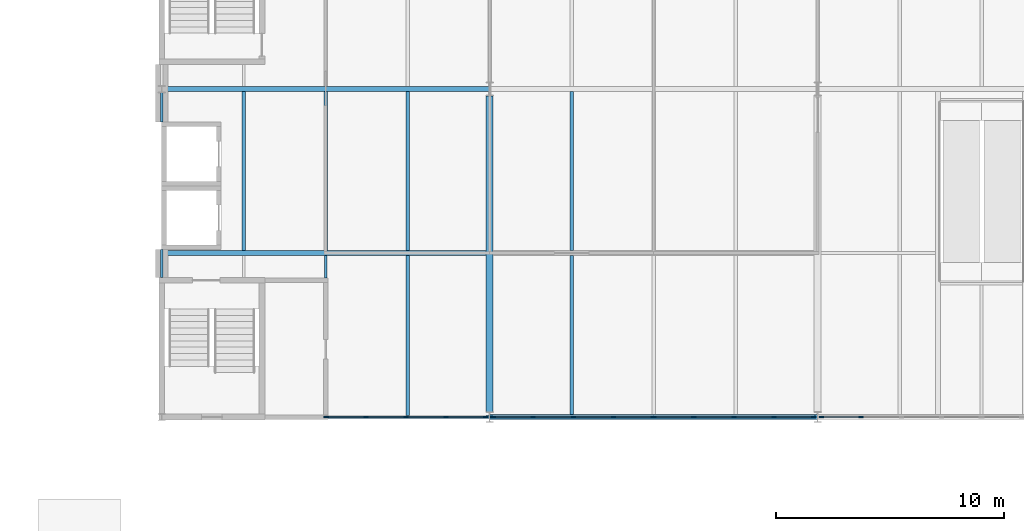
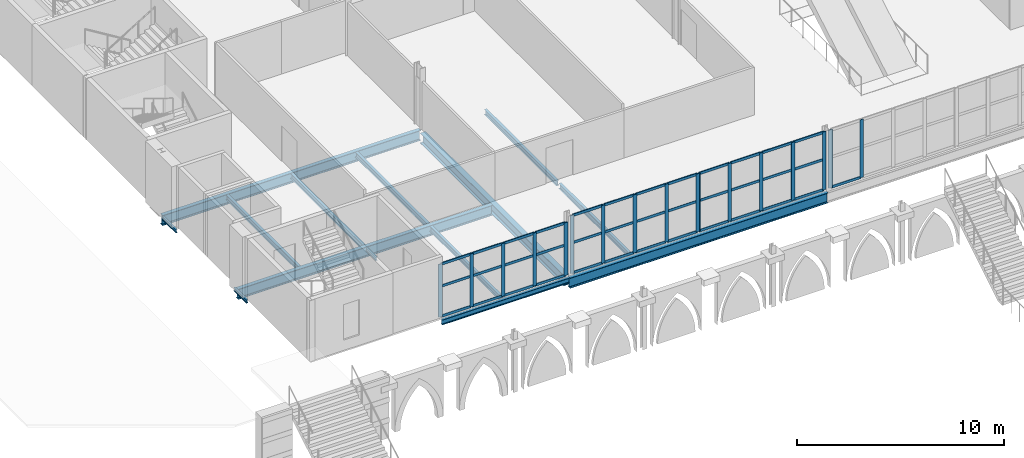
# One storey, part 27 of 90: 54 members, 14 beams, 4 elements without a shape of their own.
"""IFC4 building model written with IfcOpenShell, lengths in metres."""

from ifc_helpers import new_model, si_unit, direction, frame, origin, origin_2d, place, context, subcontext, project, spatial, rectangle, i_section, extrude, material, material_profile, profile_set, type_object, element, aggregate, save


model = new_model("IFC4")

# Units and contexts
model_context = context("Model", 3, precision=1e-05, world=origin(), true_north=direction((0.0, 1.0)))
body_context = subcontext(model_context, "Body", "Model", "MODEL_VIEW")
ifc_project = project(units=[si_unit("LENGTHUNIT", "METRE"), si_unit("AREAUNIT", "SQUARE_METRE"), si_unit("VOLUMEUNIT", "CUBIC_METRE"), si_unit("PLANEANGLEUNIT", "RADIAN"), si_unit("MASSUNIT", "GRAM", prefix="KILO")], contexts=[model_context])

# Site, building, storey
site_placement = place(None, origin())
site = spatial("IfcSite", under=ifc_project, at=site_placement, CompositionType="ELEMENT")
building_placement = place(site_placement, origin())
building = spatial("IfcBuilding", under=site, at=building_placement, Name="Kupolbacken Congress Centre", CompositionType="ELEMENT")
storey_placement = place(building_placement, frame((0.0, 0.0, 3.60009765625)))
storey = spatial("IfcBuildingStorey", under=building, at=storey_placement, Name="L01", CompositionType="ELEMENT", Elevation=3.60009765625)

# Beams
ifc_material_1 = material(Name="Steel S355", Category="steel")
ifc_material_profile_1 = material_profile(ifc_material_1, i_section(OverallWidth=0.10009765625, OverallDepth=0.199951171875, WebThickness=0.005615234375, FlangeThickness=0.008544921875, FilletRadius=0.011962890625, at=origin_2d()), Name="IPE 200")
ifc_profile_set_1 = profile_set([ifc_material_profile_1], Name="Steel S355")
beam_type_1 = type_object("IfcBeamType", Name="B01 beam IPE 200", PredefinedType="BEAM", material=ifc_profile_set_1)
beam_1_placement = place(storey_placement, frame((7.199951171875, 34.925048828125, -0.280029296875), z_axis=(0.0, 1.0, 0.0), x_axis=(-1.0, 0.0, 0.0)))
element("IfcBeam", 1, at=beam_1_placement, inside=storey, type_object=beam_type_1, Name="S/floor/F/L01/G001", PredefinedType="BEAM", context=body_context, shape_type="SweptSolid", body=[
    extrude(i_section(OverallWidth=0.10009765625, OverallDepth=0.199951171875, WebThickness=0.005615234375, FlangeThickness=0.008544921875, FilletRadius=0.011962890625, at=origin_2d()), origin(), (0.0, 0.0, 1.0), 1.224853515625),
])
beam_2_placement = place(storey_placement, frame((7.199951171875, 41.75, -0.280029296875), z_axis=(0.0, 1.0, 0.0), x_axis=(-1.0, 0.0, 0.0)))
element("IfcBeam", 2, at=beam_2_placement, inside=storey, type_object=beam_type_1, Name="S/floor/F/L01/G002", PredefinedType="BEAM", context=body_context, shape_type="SweptSolid", body=[
    extrude(i_section(OverallWidth=0.10009765625, OverallDepth=0.199951171875, WebThickness=0.005615234375, FlangeThickness=0.008544921875, FilletRadius=0.011962890625, at=origin_2d()), origin(), (0.0, 0.0, 1.0), 1.300048828125),
])
beam_3_placement = place(storey_placement, frame((14.39990234375, 34.89990234375, -0.280029296875), z_axis=(0.0, 1.0, 0.0), x_axis=(-1.0, 0.0, 0.0)))
element("IfcBeam", 3, at=beam_3_placement, inside=storey, type_object=beam_type_1, Name="S/floor/F/L01/S043", PredefinedType="BEAM", context=body_context, shape_type="SweptSolid", body=[
    extrude(i_section(OverallWidth=0.10009765625, OverallDepth=0.199951171875, WebThickness=0.005615234375, FlangeThickness=0.008544921875, FilletRadius=0.011962890625, at=origin_2d()), origin(), (0.0, 0.0, 1.0), 0.989990234375),
])
ifc_material_2 = material(Name="Steel S355", Category="steel")
ifc_material_profile_2 = material_profile(ifc_material_2, i_section(OverallWidth=0.14990234375, OverallDepth=0.300048828125, WebThickness=0.007080078125, FlangeThickness=0.0107421875, FilletRadius=0.014892578125, at=origin_2d()), Name="IPE 300")
ifc_profile_set_2 = profile_set([ifc_material_profile_2], Name="Steel S355")
beam_type_2 = type_object("IfcBeamType", Name="B04 beam IPE 300", PredefinedType="BEAM", material=ifc_profile_set_2)
beam_4_placement = place(storey_placement, frame((14.5, 28.800048828125, -0.330078125), z_axis=(1.0, 0.0, 0.0), x_axis=(0.0, 1.0, 0.0)))
element("IfcBeam", 4, at=beam_4_placement, inside=storey, type_object=beam_type_2, Name="S/floor/F/L01/R015", PredefinedType="BEAM", context=body_context, shape_type="SweptSolid", body=[
    extrude(i_section(OverallWidth=0.14990234375, OverallDepth=0.300048828125, WebThickness=0.007080078125, FlangeThickness=0.0107421875, FilletRadius=0.014892578125, at=origin_2d()), origin(), (0.0, 0.0, 1.0), 7.093017578125),
])
for number, where, z_axis, x_axis, name in (
    (5, (10.800048828125, 36.110107421875, -0.330078125), (0.0, 1.0, 0.0), (-1.0, 0.0, 0.0), "S/floor/F/L01/S041"),
    (6, (14.39990234375, 36.110107421875, -0.330078125), (0.0, 1.0, 0.0), (-1.0, 0.0, 0.0), "S/floor/F/L01/S044"),
):
    element("IfcBeam", number, at=place(storey_placement, frame(where, z_axis=z_axis, x_axis=x_axis)), inside=storey, type_object=beam_type_2, Name=name, PredefinedType="BEAM", context=body_context, shape_type="SweptSolid", body=[
        extrude(i_section(OverallWidth=0.14990234375, OverallDepth=0.300048828125, WebThickness=0.007080078125, FlangeThickness=0.0107421875, FilletRadius=0.014892578125, at=origin_2d()), origin(), (0.0, 0.0, 1.0), 6.97998046875),
    ])
beam_5_placement = place(storey_placement, frame((18.0, 28.875, -0.330078125), z_axis=(0.0, 1.0, 0.0), x_axis=(-1.0, 0.0, 0.0)))
element("IfcBeam", 7, at=beam_5_placement, inside=storey, type_object=beam_type_2, Name="S/floor/F/L01/S046", PredefinedType="BEAM", context=body_context, shape_type="SweptSolid", body=[
    extrude(i_section(OverallWidth=0.14990234375, OverallDepth=0.300048828125, WebThickness=0.007080078125, FlangeThickness=0.0107421875, FilletRadius=0.014892578125, at=origin_2d()), origin(), (0.0, 0.0, 1.0), 7.014892578125),
])
for number, where, z_axis, x_axis, name in (
    (8, (18.0, 36.110107421875, -0.330078125), (0.0, 1.0, 0.0), (-1.0, 0.0, 0.0), "S/floor/F/L01/S047"),
    (9, (25.199951171875, 28.909912109375, -0.330078125), (0.0, 1.0, 0.0), (-1.0, 0.0, 0.0), "S/floor/F/L01/S049"),
    (10, (25.199951171875, 36.110107421875, -0.330078125), (0.0, 1.0, 0.0), (-1.0, 0.0, 0.0), "S/floor/F/L01/S050"),
):
    element("IfcBeam", number, at=place(storey_placement, frame(where, z_axis=z_axis, x_axis=x_axis)), inside=storey, type_object=beam_type_2, Name=name, PredefinedType="BEAM", context=body_context, shape_type="SweptSolid", body=[
        extrude(i_section(OverallWidth=0.14990234375, OverallDepth=0.300048828125, WebThickness=0.007080078125, FlangeThickness=0.0107421875, FilletRadius=0.014892578125, at=origin_2d()), origin(), (0.0, 0.0, 1.0), 6.97998046875),
    ])
ifc_material_3 = material(Name="Steel S355", Category="steel")
ifc_material_profile_3 = material_profile(ifc_material_3, i_section(OverallWidth=0.219970703125, OverallDepth=0.60009765625, WebThickness=0.011962890625, FlangeThickness=0.01904296875, FilletRadius=0.02392578125, at=origin_2d()), Name="IPE 600")
ifc_profile_set_3 = profile_set([ifc_material_profile_3], Name="Steel S355")
beam_type_3 = type_object("IfcBeamType", Name="B11 beam IPE 600", PredefinedType="BEAM", material=ifc_profile_set_3)
beam_6_placement = place(storey_placement, frame((21.60693359375, 28.800048828125, -0.47998046875), z_axis=(1.0, 0.0, 0.0), x_axis=(0.0, 1.0, 0.0)))
element("IfcBeam", 11, at=beam_6_placement, inside=storey, type_object=beam_type_3, Name="S/floor/F/L01/R016", PredefinedType="BEAM", context=body_context, shape_type="SweptSolid", body=[
    extrude(i_section(OverallWidth=0.219970703125, OverallDepth=0.60009765625, WebThickness=0.011962890625, FlangeThickness=0.01904296875, FilletRadius=0.02392578125, at=origin_2d()), origin(), (0.0, 0.0, 1.0), 14.385986328125),
])
beam_7_placement = place(storey_placement, frame((7.20556640625, 43.199951171875, -0.47998046875), z_axis=(1.0, 0.0, 0.0), x_axis=(0.0, 1.0, 0.0)))
element("IfcBeam", 12, at=beam_7_placement, inside=storey, type_object=beam_type_3, Name="S/floor/F/L01/R020", PredefinedType="BEAM", context=body_context, shape_type="SweptSolid", body=[
    extrude(i_section(OverallWidth=0.219970703125, OverallDepth=0.60009765625, WebThickness=0.011962890625, FlangeThickness=0.01904296875, FilletRadius=0.02392578125, at=origin_2d()), origin(), (0.0, 0.0, 1.0), 14.38671875),
])
beam_8_placement = place(storey_placement, frame((7.25, 36.0, -0.47998046875), z_axis=(1.0, 0.0, 0.0), x_axis=(0.0, 1.0, 0.0)))
element("IfcBeam", 13, at=beam_8_placement, inside=storey, type_object=beam_type_3, Name="S/floor/F/L01/R034", PredefinedType="BEAM", context=body_context, shape_type="SweptSolid", body=[
    extrude(i_section(OverallWidth=0.219970703125, OverallDepth=0.60009765625, WebThickness=0.011962890625, FlangeThickness=0.01904296875, FilletRadius=0.02392578125, at=origin_2d()), origin(), (0.0, 0.0, 1.0), 14.199951171875),
])
ifc_material_4 = material(Name="Steel S355", Category="steel")
ifc_material_profile_4 = material_profile(ifc_material_4, i_section(OverallWidth=0.300048828125, OverallDepth=0.60009765625, WebThickness=0.015380859375, FlangeThickness=0.030029296875, FilletRadius=0.027099609375, at=origin_2d()), Name="HEB 600")
ifc_profile_set_4 = profile_set([ifc_material_profile_4], Name="Steel S355")
beam_type_4 = type_object("IfcBeamType", Name="B15 beam HEB 600", PredefinedType="BEAM", material=ifc_profile_set_4)
beam_9_placement = place(storey_placement, frame((21.60009765625, 29.02490234375, -0.47998046875), z_axis=(0.0, 1.0, 0.0), x_axis=(-1.0, 0.0, 0.0)))
element("IfcBeam", 14, at=beam_9_placement, inside=storey, type_object=beam_type_4, Name="S/floor/F/L01/G004", PredefinedType="BEAM", context=body_context, shape_type="SweptSolid", body=[
    extrude(i_section(OverallWidth=0.300048828125, OverallDepth=0.60009765625, WebThickness=0.015380859375, FlangeThickness=0.030029296875, FilletRadius=0.027099609375, at=origin_2d()), origin(), (0.0, 0.0, 1.0), 13.875),
])

# Curtain wall, members
ifc_material_5 = material(Name="Aluminium mullion-transom frame with glass", Category="aluminium")
curtain_wall_type = type_object("IfcCurtainWallType", Name="CW1 curtain wall 7200x3600", PredefinedType="NOTDEFINED", material=ifc_material_5)
curtain_wall_1_placement = place(storey_placement, origin())
curtain_wall_1 = element("IfcCurtainWall", 15, at=curtain_wall_1_placement, inside=storey, type_object=curtain_wall_type, Name="E/F/S/L01/137", PredefinedType="NOTDEFINED")
ifc_material_6 = material(Name="Aluminium alloy", Category="aluminium")
ifc_material_profile_5 = material_profile(ifc_material_6, rectangle(XDim=0.050048828125, YDim=0.199951171875, at=origin_2d()), Name="50 x 200")
ifc_profile_set_5 = profile_set([ifc_material_profile_5], Name="Aluminium alloy")
member_type_1 = type_object("IfcMemberType", Name="MU2 mullion 50x200", PredefinedType="MULLION", material=ifc_profile_set_5)
member_1_placement = place(storey_placement, frame((14.425048828125, 28.800048828125, 0.0), z_axis=(0.0, 0.0, 1.0), x_axis=(0.0, 1.0, 0.0)))
member_1 = element("IfcMember", 16, at=member_1_placement, type_object=member_type_1, Name="CW1 mullion 1", PredefinedType="MULLION", context=body_context, shape_type="SweptSolid", body=[
    extrude(rectangle(XDim=0.050048828125, YDim=0.199951171875, at=origin_2d()), origin(), (0.0, 0.0, 1.0), 3.119873046875),
])
member_2_placement = place(storey_placement, frame((16.16259765625, 28.800048828125, 0.0), z_axis=(0.0, 0.0, 1.0), x_axis=(0.0, 1.0, 0.0)))
member_2 = element("IfcMember", 17, at=member_2_placement, type_object=member_type_1, Name="CW1 mullion 2", PredefinedType="MULLION", context=body_context, shape_type="SweptSolid", body=[
    extrude(rectangle(XDim=0.050048828125, YDim=0.199951171875, at=origin_2d()), origin(), (0.0, 0.0, 1.0), 3.119873046875),
])
member_3_placement = place(storey_placement, frame((17.925048828125, 28.800048828125, 0.0), z_axis=(0.0, 0.0, 1.0), x_axis=(0.0, 1.0, 0.0)))
member_3 = element("IfcMember", 18, at=member_3_placement, type_object=member_type_1, Name="CW1 mullion 3", PredefinedType="MULLION", context=body_context, shape_type="SweptSolid", body=[
    extrude(rectangle(XDim=0.050048828125, YDim=0.199951171875, at=origin_2d()), origin(), (0.0, 0.0, 1.0), 3.119873046875),
])
member_4_placement = place(storey_placement, frame((19.6875, 28.800048828125, 0.0), z_axis=(0.0, 0.0, 1.0), x_axis=(0.0, 1.0, 0.0)))
member_4 = element("IfcMember", 19, at=member_4_placement, type_object=member_type_1, Name="CW1 mullion 4", PredefinedType="MULLION", context=body_context, shape_type="SweptSolid", body=[
    extrude(rectangle(XDim=0.050048828125, YDim=0.199951171875, at=origin_2d()), origin(), (0.0, 0.0, 1.0), 3.119873046875),
])
member_5_placement = place(storey_placement, frame((21.425048828125, 28.800048828125, 0.0), z_axis=(0.0, 0.0, 1.0), x_axis=(0.0, 1.0, 0.0)))
member_5 = element("IfcMember", 20, at=member_5_placement, type_object=member_type_1, Name="CW1 mullion 5", PredefinedType="MULLION", context=body_context, shape_type="SweptSolid", body=[
    extrude(rectangle(XDim=0.050048828125, YDim=0.199951171875, at=origin_2d()), origin(), (0.0, 0.0, 1.0), 3.119873046875),
])

curtain_wall_2_placement = place(storey_placement, origin())
curtain_wall_2 = element("IfcCurtainWall", 21, at=curtain_wall_2_placement, inside=storey, type_object=curtain_wall_type, Name="E/F/S/L01/138", PredefinedType="NOTDEFINED")
member_6_placement = place(storey_placement, frame((21.77490234375, 28.800048828125, 0.0), z_axis=(0.0, 0.0, 1.0), x_axis=(0.0, 1.0, 0.0)))
member_6 = element("IfcMember", 22, at=member_6_placement, type_object=member_type_1, Name="CW1 mullion 1", PredefinedType="MULLION", context=body_context, shape_type="SweptSolid", body=[
    extrude(rectangle(XDim=0.050048828125, YDim=0.199951171875, at=origin_2d()), origin(), (0.0, 0.0, 1.0), 3.419921875),
])
member_7_placement = place(storey_placement, frame((23.512451171875, 28.800048828125, 0.0), z_axis=(0.0, 0.0, 1.0), x_axis=(0.0, 1.0, 0.0)))
member_7 = element("IfcMember", 23, at=member_7_placement, type_object=member_type_1, Name="CW1 mullion 2", PredefinedType="MULLION", context=body_context, shape_type="SweptSolid", body=[
    extrude(rectangle(XDim=0.050048828125, YDim=0.199951171875, at=origin_2d()), origin(), (0.0, 0.0, 1.0), 3.419921875),
])
member_8_placement = place(storey_placement, frame((25.27490234375, 28.800048828125, 0.0), z_axis=(0.0, 0.0, 1.0), x_axis=(0.0, 1.0, 0.0)))
member_8 = element("IfcMember", 24, at=member_8_placement, type_object=member_type_1, Name="CW1 mullion 3", PredefinedType="MULLION", context=body_context, shape_type="SweptSolid", body=[
    extrude(rectangle(XDim=0.050048828125, YDim=0.199951171875, at=origin_2d()), origin(), (0.0, 0.0, 1.0), 3.419921875),
])
member_9_placement = place(storey_placement, frame((27.03759765625, 28.800048828125, 0.0), z_axis=(0.0, 0.0, 1.0), x_axis=(0.0, 1.0, 0.0)))
member_9 = element("IfcMember", 25, at=member_9_placement, type_object=member_type_1, Name="CW1 mullion 4", PredefinedType="MULLION", context=body_context, shape_type="SweptSolid", body=[
    extrude(rectangle(XDim=0.050048828125, YDim=0.199951171875, at=origin_2d()), origin(), (0.0, 0.0, 1.0), 3.419921875),
])
member_10_placement = place(storey_placement, frame((28.77490234375, 28.800048828125, 0.0), z_axis=(0.0, 0.0, 1.0), x_axis=(0.0, 1.0, 0.0)))
member_10 = element("IfcMember", 26, at=member_10_placement, type_object=member_type_1, Name="CW1 mullion 5", PredefinedType="MULLION", context=body_context, shape_type="SweptSolid", body=[
    extrude(rectangle(XDim=0.050048828125, YDim=0.199951171875, at=origin_2d()), origin(), (0.0, 0.0, 1.0), 3.419921875),
])

curtain_wall_3_placement = place(storey_placement, origin())
curtain_wall_3 = element("IfcCurtainWall", 27, at=curtain_wall_3_placement, inside=storey, type_object=curtain_wall_type, Name="E/F/S/L01/139", PredefinedType="NOTDEFINED")
member_11_placement = place(storey_placement, frame((28.824951171875, 28.800048828125, 0.0), z_axis=(0.0, 0.0, 1.0), x_axis=(0.0, 1.0, 0.0)))
member_11 = element("IfcMember", 28, at=member_11_placement, type_object=member_type_1, Name="CW1 mullion 1", PredefinedType="MULLION", context=body_context, shape_type="SweptSolid", body=[
    extrude(rectangle(XDim=0.050048828125, YDim=0.199951171875, at=origin_2d()), origin(), (0.0, 0.0, 1.0), 3.419921875),
])
member_12_placement = place(storey_placement, frame((30.5625, 28.800048828125, 0.0), z_axis=(0.0, 0.0, 1.0), x_axis=(0.0, 1.0, 0.0)))
member_12 = element("IfcMember", 29, at=member_12_placement, type_object=member_type_1, Name="CW1 mullion 2", PredefinedType="MULLION", context=body_context, shape_type="SweptSolid", body=[
    extrude(rectangle(XDim=0.050048828125, YDim=0.199951171875, at=origin_2d()), origin(), (0.0, 0.0, 1.0), 3.419921875),
])
member_13_placement = place(storey_placement, frame((32.324951171875, 28.800048828125, 0.0), z_axis=(0.0, 0.0, 1.0), x_axis=(0.0, 1.0, 0.0)))
member_13 = element("IfcMember", 30, at=member_13_placement, type_object=member_type_1, Name="CW1 mullion 3", PredefinedType="MULLION", context=body_context, shape_type="SweptSolid", body=[
    extrude(rectangle(XDim=0.050048828125, YDim=0.199951171875, at=origin_2d()), origin(), (0.0, 0.0, 1.0), 3.419921875),
])
member_14_placement = place(storey_placement, frame((34.08740234375, 28.800048828125, 0.0), z_axis=(0.0, 0.0, 1.0), x_axis=(0.0, 1.0, 0.0)))
member_14 = element("IfcMember", 31, at=member_14_placement, type_object=member_type_1, Name="CW1 mullion 4", PredefinedType="MULLION", context=body_context, shape_type="SweptSolid", body=[
    extrude(rectangle(XDim=0.050048828125, YDim=0.199951171875, at=origin_2d()), origin(), (0.0, 0.0, 1.0), 3.419921875),
])
member_15_placement = place(storey_placement, frame((35.824951171875, 28.800048828125, 0.0), z_axis=(0.0, 0.0, 1.0), x_axis=(0.0, 1.0, 0.0)))
member_15 = element("IfcMember", 32, at=member_15_placement, type_object=member_type_1, Name="CW1 mullion 5", PredefinedType="MULLION", context=body_context, shape_type="SweptSolid", body=[
    extrude(rectangle(XDim=0.050048828125, YDim=0.199951171875, at=origin_2d()), origin(), (0.0, 0.0, 1.0), 3.419921875),
])

curtain_wall_4_placement = place(storey_placement, origin())
curtain_wall_4 = element("IfcCurtainWall", 33, at=curtain_wall_4_placement, inside=storey, type_object=curtain_wall_type, Name="E/F/S/L01/140", PredefinedType="NOTDEFINED")
member_16_placement = place(storey_placement, frame((36.175048828125, 28.800048828125, 0.0), z_axis=(0.0, 0.0, 1.0), x_axis=(0.0, 1.0, 0.0)))
member_16 = element("IfcMember", 34, at=member_16_placement, type_object=member_type_1, Name="CW1 mullion 1", PredefinedType="MULLION", context=body_context, shape_type="SweptSolid", body=[
    extrude(rectangle(XDim=0.050048828125, YDim=0.199951171875, at=origin_2d()), origin(), (0.0, 0.0, 1.0), 3.419921875),
])
member_17_placement = place(storey_placement, frame((37.91259765625, 28.800048828125, 0.0), z_axis=(0.0, 0.0, 1.0), x_axis=(0.0, 1.0, 0.0)))
member_17 = element("IfcMember", 35, at=member_17_placement, type_object=member_type_1, Name="CW1 mullion 2", PredefinedType="MULLION", context=body_context, shape_type="SweptSolid", body=[
    extrude(rectangle(XDim=0.050048828125, YDim=0.199951171875, at=origin_2d()), origin(), (0.0, 0.0, 1.0), 3.419921875),
])

# Member
ifc_material_7 = material(Name="Aluminium alloy", Category="aluminium")
ifc_material_profile_6 = material_profile(ifc_material_7, rectangle(XDim=0.050048828125, YDim=0.14990234375, at=origin_2d()), Name="50 x 150")
ifc_profile_set_6 = profile_set([ifc_material_profile_6], Name="Aluminium alloy")
member_type_2 = type_object("IfcMemberType", Name="TR2 transom 50x150", PredefinedType="MULLION", material=ifc_profile_set_6)
member_18_placement = place(storey_placement, frame((14.449951171875, 28.800048828125, 0.02490234375), z_axis=(1.0, 0.0, 0.0), x_axis=(0.0, 1.0, 0.0)))
member_18 = element("IfcMember", 36, at=member_18_placement, type_object=member_type_2, Name="CW1 transom 1.1", PredefinedType="MULLION", context=body_context, shape_type="SweptSolid", body=[
    extrude(rectangle(XDim=0.050048828125, YDim=0.14990234375, at=origin_2d()), origin(), (0.0, 0.0, 1.0), 1.6875),
])

member_19_placement = place(storey_placement, frame((14.449951171875, 28.800048828125, 1.7998046875), z_axis=(1.0, 0.0, 0.0), x_axis=(0.0, 1.0, 0.0)))
member_19 = element("IfcMember", 37, at=member_19_placement, type_object=member_type_2, Name="CW1 transom 1.2", PredefinedType="MULLION", context=body_context, shape_type="SweptSolid", body=[
    extrude(rectangle(XDim=0.050048828125, YDim=0.14990234375, at=origin_2d()), origin(), (0.0, 0.0, 1.0), 1.6875),
])

member_20_placement = place(storey_placement, frame((14.449951171875, 28.800048828125, 3.094970703125), z_axis=(1.0, 0.0, 0.0), x_axis=(0.0, 1.0, 0.0)))
member_20 = element("IfcMember", 38, at=member_20_placement, type_object=member_type_2, Name="CW1 transom 1.3", PredefinedType="MULLION", context=body_context, shape_type="SweptSolid", body=[
    extrude(rectangle(XDim=0.050048828125, YDim=0.14990234375, at=origin_2d()), origin(), (0.0, 0.0, 1.0), 1.6875),
])

member_21_placement = place(storey_placement, frame((16.1875, 28.800048828125, 0.02490234375), z_axis=(1.0, 0.0, 0.0), x_axis=(0.0, 1.0, 0.0)))
member_21 = element("IfcMember", 39, at=member_21_placement, type_object=member_type_2, Name="CW1 transom 2.1", PredefinedType="MULLION", context=body_context, shape_type="SweptSolid", body=[
    extrude(rectangle(XDim=0.050048828125, YDim=0.14990234375, at=origin_2d()), origin(), (0.0, 0.0, 1.0), 1.71240234375),
])

member_22_placement = place(storey_placement, frame((16.1875, 28.800048828125, 1.7998046875), z_axis=(1.0, 0.0, 0.0), x_axis=(0.0, 1.0, 0.0)))
member_22 = element("IfcMember", 40, at=member_22_placement, type_object=member_type_2, Name="CW1 transom 2.2", PredefinedType="MULLION", context=body_context, shape_type="SweptSolid", body=[
    extrude(rectangle(XDim=0.050048828125, YDim=0.14990234375, at=origin_2d()), origin(), (0.0, 0.0, 1.0), 1.71240234375),
])

member_23_placement = place(storey_placement, frame((16.1875, 28.800048828125, 3.094970703125), z_axis=(1.0, 0.0, 0.0), x_axis=(0.0, 1.0, 0.0)))
member_23 = element("IfcMember", 41, at=member_23_placement, type_object=member_type_2, Name="CW1 transom 2.3", PredefinedType="MULLION", context=body_context, shape_type="SweptSolid", body=[
    extrude(rectangle(XDim=0.050048828125, YDim=0.14990234375, at=origin_2d()), origin(), (0.0, 0.0, 1.0), 1.71240234375),
])

member_24_placement = place(storey_placement, frame((17.949951171875, 28.800048828125, 0.02490234375), z_axis=(1.0, 0.0, 0.0), x_axis=(0.0, 1.0, 0.0)))
member_24 = element("IfcMember", 42, at=member_24_placement, type_object=member_type_2, Name="CW1 transom 3.1", PredefinedType="MULLION", context=body_context, shape_type="SweptSolid", body=[
    extrude(rectangle(XDim=0.050048828125, YDim=0.14990234375, at=origin_2d()), origin(), (0.0, 0.0, 1.0), 1.712646484375),
])

member_25_placement = place(storey_placement, frame((17.949951171875, 28.800048828125, 1.7998046875), z_axis=(1.0, 0.0, 0.0), x_axis=(0.0, 1.0, 0.0)))
member_25 = element("IfcMember", 43, at=member_25_placement, type_object=member_type_2, Name="CW1 transom 3.2", PredefinedType="MULLION", context=body_context, shape_type="SweptSolid", body=[
    extrude(rectangle(XDim=0.050048828125, YDim=0.14990234375, at=origin_2d()), origin(), (0.0, 0.0, 1.0), 1.712646484375),
])

member_26_placement = place(storey_placement, frame((17.949951171875, 28.800048828125, 3.094970703125), z_axis=(1.0, 0.0, 0.0), x_axis=(0.0, 1.0, 0.0)))
member_26 = element("IfcMember", 44, at=member_26_placement, type_object=member_type_2, Name="CW1 transom 3.3", PredefinedType="MULLION", context=body_context, shape_type="SweptSolid", body=[
    extrude(rectangle(XDim=0.050048828125, YDim=0.14990234375, at=origin_2d()), origin(), (0.0, 0.0, 1.0), 1.712646484375),
])

member_27_placement = place(storey_placement, frame((19.71240234375, 28.800048828125, 0.02490234375), z_axis=(1.0, 0.0, 0.0), x_axis=(0.0, 1.0, 0.0)))
member_27 = element("IfcMember", 45, at=member_27_placement, type_object=member_type_2, Name="CW1 transom 4.1", PredefinedType="MULLION", context=body_context, shape_type="SweptSolid", body=[
    extrude(rectangle(XDim=0.050048828125, YDim=0.14990234375, at=origin_2d()), origin(), (0.0, 0.0, 1.0), 1.6875),
])

member_28_placement = place(storey_placement, frame((19.71240234375, 28.800048828125, 1.7998046875), z_axis=(1.0, 0.0, 0.0), x_axis=(0.0, 1.0, 0.0)))
member_28 = element("IfcMember", 46, at=member_28_placement, type_object=member_type_2, Name="CW1 transom 4.2", PredefinedType="MULLION", context=body_context, shape_type="SweptSolid", body=[
    extrude(rectangle(XDim=0.050048828125, YDim=0.14990234375, at=origin_2d()), origin(), (0.0, 0.0, 1.0), 1.6875),
])

member_29_placement = place(storey_placement, frame((19.71240234375, 28.800048828125, 3.094970703125), z_axis=(1.0, 0.0, 0.0), x_axis=(0.0, 1.0, 0.0)))
member_29 = element("IfcMember", 47, at=member_29_placement, type_object=member_type_2, Name="CW1 transom 4.3", PredefinedType="MULLION", context=body_context, shape_type="SweptSolid", body=[
    extrude(rectangle(XDim=0.050048828125, YDim=0.14990234375, at=origin_2d()), origin(), (0.0, 0.0, 1.0), 1.6875),
])

aggregate(curtain_wall_1, [member_1, member_2, member_3, member_4, member_5, member_18, member_19, member_20, member_21, member_22, member_23, member_24, member_25, member_26, member_27, member_28, member_29])

member_30_placement = place(storey_placement, frame((21.800048828125, 28.800048828125, 0.02490234375), z_axis=(1.0, 0.0, 0.0), x_axis=(0.0, 1.0, 0.0)))
member_30 = element("IfcMember", 48, at=member_30_placement, type_object=member_type_2, Name="CW1 transom 1.1", PredefinedType="MULLION", context=body_context, shape_type="SweptSolid", body=[
    extrude(rectangle(XDim=0.050048828125, YDim=0.14990234375, at=origin_2d()), origin(), (0.0, 0.0, 1.0), 1.6875),
])

member_31_placement = place(storey_placement, frame((21.800048828125, 28.800048828125, 1.7998046875), z_axis=(1.0, 0.0, 0.0), x_axis=(0.0, 1.0, 0.0)))
member_31 = element("IfcMember", 49, at=member_31_placement, type_object=member_type_2, Name="CW1 transom 1.2", PredefinedType="MULLION", context=body_context, shape_type="SweptSolid", body=[
    extrude(rectangle(XDim=0.050048828125, YDim=0.14990234375, at=origin_2d()), origin(), (0.0, 0.0, 1.0), 1.6875),
])

member_32_placement = place(storey_placement, frame((21.800048828125, 28.800048828125, 3.39501953125), z_axis=(1.0, 0.0, 0.0), x_axis=(0.0, 1.0, 0.0)))
member_32 = element("IfcMember", 50, at=member_32_placement, type_object=member_type_2, Name="CW1 transom 1.3", PredefinedType="MULLION", context=body_context, shape_type="SweptSolid", body=[
    extrude(rectangle(XDim=0.050048828125, YDim=0.14990234375, at=origin_2d()), origin(), (0.0, 0.0, 1.0), 1.6875),
])

member_33_placement = place(storey_placement, frame((23.53759765625, 28.800048828125, 0.02490234375), z_axis=(1.0, 0.0, 0.0), x_axis=(0.0, 1.0, 0.0)))
member_33 = element("IfcMember", 51, at=member_33_placement, type_object=member_type_2, Name="CW1 transom 2.1", PredefinedType="MULLION", context=body_context, shape_type="SweptSolid", body=[
    extrude(rectangle(XDim=0.050048828125, YDim=0.14990234375, at=origin_2d()), origin(), (0.0, 0.0, 1.0), 1.71240234375),
])

member_34_placement = place(storey_placement, frame((23.53759765625, 28.800048828125, 1.7998046875), z_axis=(1.0, 0.0, 0.0), x_axis=(0.0, 1.0, 0.0)))
member_34 = element("IfcMember", 52, at=member_34_placement, type_object=member_type_2, Name="CW1 transom 2.2", PredefinedType="MULLION", context=body_context, shape_type="SweptSolid", body=[
    extrude(rectangle(XDim=0.050048828125, YDim=0.14990234375, at=origin_2d()), origin(), (0.0, 0.0, 1.0), 1.71240234375),
])

member_35_placement = place(storey_placement, frame((23.53759765625, 28.800048828125, 3.39501953125), z_axis=(1.0, 0.0, 0.0), x_axis=(0.0, 1.0, 0.0)))
member_35 = element("IfcMember", 53, at=member_35_placement, type_object=member_type_2, Name="CW1 transom 2.3", PredefinedType="MULLION", context=body_context, shape_type="SweptSolid", body=[
    extrude(rectangle(XDim=0.050048828125, YDim=0.14990234375, at=origin_2d()), origin(), (0.0, 0.0, 1.0), 1.71240234375),
])

member_36_placement = place(storey_placement, frame((25.300048828125, 28.800048828125, 0.02490234375), z_axis=(1.0, 0.0, 0.0), x_axis=(0.0, 1.0, 0.0)))
member_36 = element("IfcMember", 54, at=member_36_placement, type_object=member_type_2, Name="CW1 transom 3.1", PredefinedType="MULLION", context=body_context, shape_type="SweptSolid", body=[
    extrude(rectangle(XDim=0.050048828125, YDim=0.14990234375, at=origin_2d()), origin(), (0.0, 0.0, 1.0), 1.71240234375),
])

member_37_placement = place(storey_placement, frame((25.300048828125, 28.800048828125, 1.7998046875), z_axis=(1.0, 0.0, 0.0), x_axis=(0.0, 1.0, 0.0)))
member_37 = element("IfcMember", 55, at=member_37_placement, type_object=member_type_2, Name="CW1 transom 3.2", PredefinedType="MULLION", context=body_context, shape_type="SweptSolid", body=[
    extrude(rectangle(XDim=0.050048828125, YDim=0.14990234375, at=origin_2d()), origin(), (0.0, 0.0, 1.0), 1.71240234375),
])

member_38_placement = place(storey_placement, frame((25.300048828125, 28.800048828125, 3.39501953125), z_axis=(1.0, 0.0, 0.0), x_axis=(0.0, 1.0, 0.0)))
member_38 = element("IfcMember", 56, at=member_38_placement, type_object=member_type_2, Name="CW1 transom 3.3", PredefinedType="MULLION", context=body_context, shape_type="SweptSolid", body=[
    extrude(rectangle(XDim=0.050048828125, YDim=0.14990234375, at=origin_2d()), origin(), (0.0, 0.0, 1.0), 1.71240234375),
])

member_39_placement = place(storey_placement, frame((27.0625, 28.800048828125, 0.02490234375), z_axis=(1.0, 0.0, 0.0), x_axis=(0.0, 1.0, 0.0)))
member_39 = element("IfcMember", 57, at=member_39_placement, type_object=member_type_2, Name="CW1 transom 4.1", PredefinedType="MULLION", context=body_context, shape_type="SweptSolid", body=[
    extrude(rectangle(XDim=0.050048828125, YDim=0.14990234375, at=origin_2d()), origin(), (0.0, 0.0, 1.0), 1.6875),
])

member_40_placement = place(storey_placement, frame((27.0625, 28.800048828125, 1.7998046875), z_axis=(1.0, 0.0, 0.0), x_axis=(0.0, 1.0, 0.0)))
member_40 = element("IfcMember", 58, at=member_40_placement, type_object=member_type_2, Name="CW1 transom 4.2", PredefinedType="MULLION", context=body_context, shape_type="SweptSolid", body=[
    extrude(rectangle(XDim=0.050048828125, YDim=0.14990234375, at=origin_2d()), origin(), (0.0, 0.0, 1.0), 1.6875),
])

member_41_placement = place(storey_placement, frame((27.0625, 28.800048828125, 3.39501953125), z_axis=(1.0, 0.0, 0.0), x_axis=(0.0, 1.0, 0.0)))
member_41 = element("IfcMember", 59, at=member_41_placement, type_object=member_type_2, Name="CW1 transom 4.3", PredefinedType="MULLION", context=body_context, shape_type="SweptSolid", body=[
    extrude(rectangle(XDim=0.050048828125, YDim=0.14990234375, at=origin_2d()), origin(), (0.0, 0.0, 1.0), 1.6875),
])

aggregate(curtain_wall_2, [member_6, member_7, member_8, member_9, member_10, member_30, member_31, member_32, member_33, member_34, member_35, member_36, member_37, member_38, member_39, member_40, member_41])

member_42_placement = place(storey_placement, frame((28.85009765625, 28.800048828125, 0.02490234375), z_axis=(1.0, 0.0, 0.0), x_axis=(0.0, 1.0, 0.0)))
member_42 = element("IfcMember", 60, at=member_42_placement, type_object=member_type_2, Name="CW1 transom 1.1", PredefinedType="MULLION", context=body_context, shape_type="SweptSolid", body=[
    extrude(rectangle(XDim=0.050048828125, YDim=0.14990234375, at=origin_2d()), origin(), (0.0, 0.0, 1.0), 1.6875),
])

member_43_placement = place(storey_placement, frame((28.85009765625, 28.800048828125, 1.7998046875), z_axis=(1.0, 0.0, 0.0), x_axis=(0.0, 1.0, 0.0)))
member_43 = element("IfcMember", 61, at=member_43_placement, type_object=member_type_2, Name="CW1 transom 1.2", PredefinedType="MULLION", context=body_context, shape_type="SweptSolid", body=[
    extrude(rectangle(XDim=0.050048828125, YDim=0.14990234375, at=origin_2d()), origin(), (0.0, 0.0, 1.0), 1.6875),
])

member_44_placement = place(storey_placement, frame((28.85009765625, 28.800048828125, 3.39501953125), z_axis=(1.0, 0.0, 0.0), x_axis=(0.0, 1.0, 0.0)))
member_44 = element("IfcMember", 62, at=member_44_placement, type_object=member_type_2, Name="CW1 transom 1.3", PredefinedType="MULLION", context=body_context, shape_type="SweptSolid", body=[
    extrude(rectangle(XDim=0.050048828125, YDim=0.14990234375, at=origin_2d()), origin(), (0.0, 0.0, 1.0), 1.6875),
])

member_45_placement = place(storey_placement, frame((30.58740234375, 28.800048828125, 0.02490234375), z_axis=(1.0, 0.0, 0.0), x_axis=(0.0, 1.0, 0.0)))
member_45 = element("IfcMember", 63, at=member_45_placement, type_object=member_type_2, Name="CW1 transom 2.1", PredefinedType="MULLION", context=body_context, shape_type="SweptSolid", body=[
    extrude(rectangle(XDim=0.050048828125, YDim=0.14990234375, at=origin_2d()), origin(), (0.0, 0.0, 1.0), 1.712646484375),
])

member_46_placement = place(storey_placement, frame((30.58740234375, 28.800048828125, 1.7998046875), z_axis=(1.0, 0.0, 0.0), x_axis=(0.0, 1.0, 0.0)))
member_46 = element("IfcMember", 64, at=member_46_placement, type_object=member_type_2, Name="CW1 transom 2.2", PredefinedType="MULLION", context=body_context, shape_type="SweptSolid", body=[
    extrude(rectangle(XDim=0.050048828125, YDim=0.14990234375, at=origin_2d()), origin(), (0.0, 0.0, 1.0), 1.712646484375),
])

member_47_placement = place(storey_placement, frame((30.58740234375, 28.800048828125, 3.39501953125), z_axis=(1.0, 0.0, 0.0), x_axis=(0.0, 1.0, 0.0)))
member_47 = element("IfcMember", 65, at=member_47_placement, type_object=member_type_2, Name="CW1 transom 2.3", PredefinedType="MULLION", context=body_context, shape_type="SweptSolid", body=[
    extrude(rectangle(XDim=0.050048828125, YDim=0.14990234375, at=origin_2d()), origin(), (0.0, 0.0, 1.0), 1.712646484375),
])

member_48_placement = place(storey_placement, frame((32.35009765625, 28.800048828125, 0.02490234375), z_axis=(1.0, 0.0, 0.0), x_axis=(0.0, 1.0, 0.0)))
member_48 = element("IfcMember", 66, at=member_48_placement, type_object=member_type_2, Name="CW1 transom 3.1", PredefinedType="MULLION", context=body_context, shape_type="SweptSolid", body=[
    extrude(rectangle(XDim=0.050048828125, YDim=0.14990234375, at=origin_2d()), origin(), (0.0, 0.0, 1.0), 1.71240234375),
])

member_49_placement = place(storey_placement, frame((32.35009765625, 28.800048828125, 1.7998046875), z_axis=(1.0, 0.0, 0.0), x_axis=(0.0, 1.0, 0.0)))
member_49 = element("IfcMember", 67, at=member_49_placement, type_object=member_type_2, Name="CW1 transom 3.2", PredefinedType="MULLION", context=body_context, shape_type="SweptSolid", body=[
    extrude(rectangle(XDim=0.050048828125, YDim=0.14990234375, at=origin_2d()), origin(), (0.0, 0.0, 1.0), 1.71240234375),
])

member_50_placement = place(storey_placement, frame((32.35009765625, 28.800048828125, 3.39501953125), z_axis=(1.0, 0.0, 0.0), x_axis=(0.0, 1.0, 0.0)))
member_50 = element("IfcMember", 68, at=member_50_placement, type_object=member_type_2, Name="CW1 transom 3.3", PredefinedType="MULLION", context=body_context, shape_type="SweptSolid", body=[
    extrude(rectangle(XDim=0.050048828125, YDim=0.14990234375, at=origin_2d()), origin(), (0.0, 0.0, 1.0), 1.71240234375),
])

member_51_placement = place(storey_placement, frame((34.112548828125, 28.800048828125, 0.02490234375), z_axis=(1.0, 0.0, 0.0), x_axis=(0.0, 1.0, 0.0)))
member_51 = element("IfcMember", 69, at=member_51_placement, type_object=member_type_2, Name="CW1 transom 4.1", PredefinedType="MULLION", context=body_context, shape_type="SweptSolid", body=[
    extrude(rectangle(XDim=0.050048828125, YDim=0.14990234375, at=origin_2d()), origin(), (0.0, 0.0, 1.0), 1.6875),
])

member_52_placement = place(storey_placement, frame((34.112548828125, 28.800048828125, 1.7998046875), z_axis=(1.0, 0.0, 0.0), x_axis=(0.0, 1.0, 0.0)))
member_52 = element("IfcMember", 70, at=member_52_placement, type_object=member_type_2, Name="CW1 transom 4.2", PredefinedType="MULLION", context=body_context, shape_type="SweptSolid", body=[
    extrude(rectangle(XDim=0.050048828125, YDim=0.14990234375, at=origin_2d()), origin(), (0.0, 0.0, 1.0), 1.6875),
])

member_53_placement = place(storey_placement, frame((34.112548828125, 28.800048828125, 3.39501953125), z_axis=(1.0, 0.0, 0.0), x_axis=(0.0, 1.0, 0.0)))
member_53 = element("IfcMember", 71, at=member_53_placement, type_object=member_type_2, Name="CW1 transom 4.3", PredefinedType="MULLION", context=body_context, shape_type="SweptSolid", body=[
    extrude(rectangle(XDim=0.050048828125, YDim=0.14990234375, at=origin_2d()), origin(), (0.0, 0.0, 1.0), 1.6875),
])

aggregate(curtain_wall_3, [member_11, member_12, member_13, member_14, member_15, member_42, member_43, member_44, member_45, member_46, member_47, member_48, member_49, member_50, member_51, member_52, member_53])

member_54_placement = place(storey_placement, frame((36.199951171875, 28.800048828125, 0.02490234375), z_axis=(1.0, 0.0, 0.0), x_axis=(0.0, 1.0, 0.0)))
member_54 = element("IfcMember", 72, at=member_54_placement, type_object=member_type_2, Name="CW1 transom 1.1", PredefinedType="MULLION", context=body_context, shape_type="SweptSolid", body=[
    extrude(rectangle(XDim=0.050048828125, YDim=0.14990234375, at=origin_2d()), origin(), (0.0, 0.0, 1.0), 1.6875),
])

aggregate(curtain_wall_4, [member_16, member_17, member_54])

save(model, "model.ifc")
